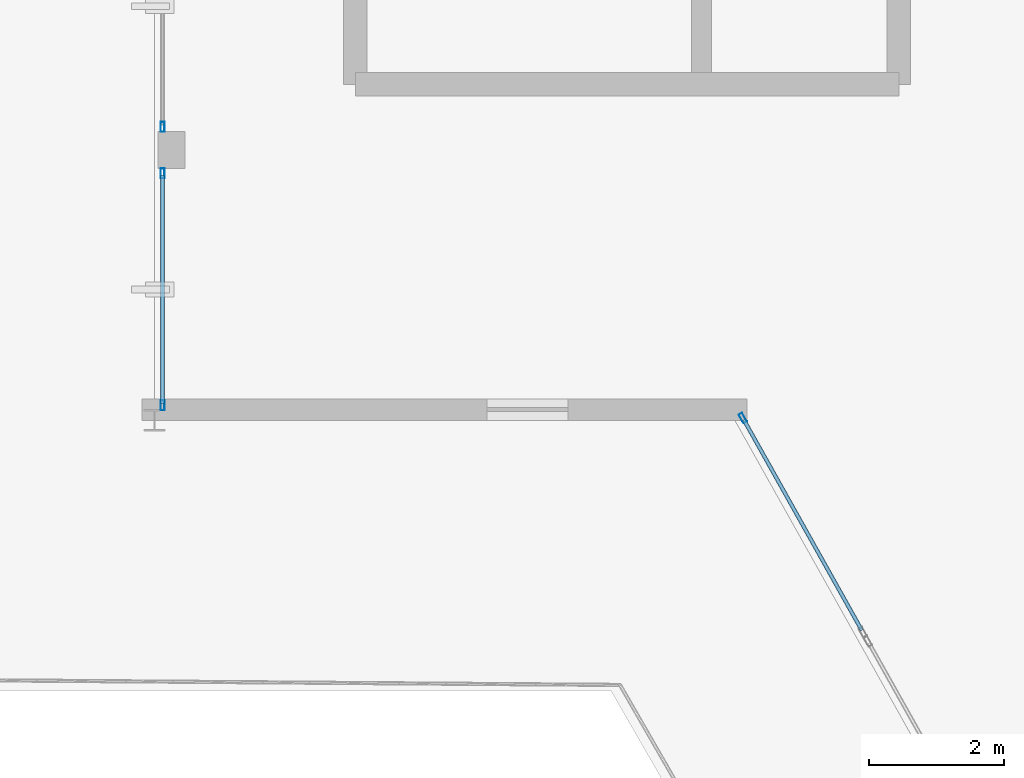
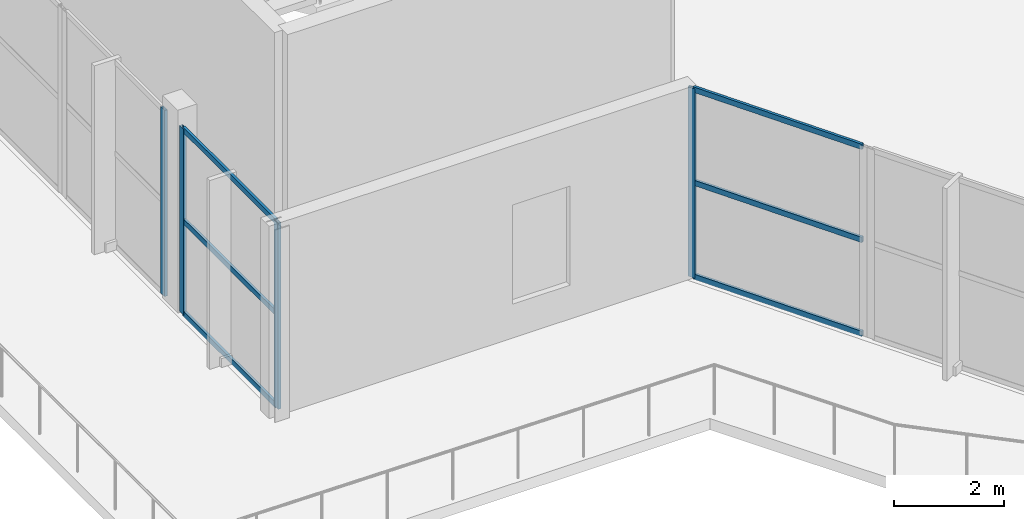
# One storey, part 22 of 123: 10 members, 3 elements without a shape of their own.
"""IFC4 building model written with IfcOpenShell, lengths in metres."""

from ifc_helpers import new_model, si_unit, direction, frame, origin, origin_2d, place, context, subcontext, project, spatial, hollow_rectangle, extrude, material, layer, layer_set, material_profile, profile_set, type_object, element, aggregate, save


model = new_model("IFC4")

# Units and contexts
model_context = context("Model", 3, precision=1e-05, world=origin(), true_north=direction((0.0, 1.0)))
body_context = subcontext(model_context, "Body", "Model", "MODEL_VIEW")
ifc_project = project(units=[si_unit("LENGTHUNIT", "METRE"), si_unit("AREAUNIT", "SQUARE_METRE"), si_unit("VOLUMEUNIT", "CUBIC_METRE"), si_unit("PLANEANGLEUNIT", "RADIAN"), si_unit("MASSUNIT", "GRAM", prefix="KILO")], contexts=[model_context])

# Site, building, storey
site_placement = place(None, origin())
site = spatial("IfcSite", under=ifc_project, at=site_placement, CompositionType="ELEMENT")
building_placement = place(site_placement, origin())
building = spatial("IfcBuilding", under=site, at=building_placement, Name="Kalgoora Escarpment Arena", CompositionType="ELEMENT")
storey_placement = place(building_placement, frame((0.0, 0.0, 9.89990234375)))
storey = spatial("IfcBuildingStorey", under=building, at=storey_placement, Name="L02", CompositionType="ELEMENT", Elevation=9.89990234375)

# Curtain wall, member
ifc_material_1 = material(Name=" Champagne anodised aluminium & double-glazed low-E", Category="aluminium")
ifc_layer_1 = layer(ifc_material_1, 0.157958984375)
ifc_layer_set_1 = layer_set([ifc_layer_1], Name="CW-UNIT-17")
curtain_wall_type_1 = type_object("IfcCurtainWallType", Name="CW-UNIT-17", PredefinedType="NOTDEFINED", material=ifc_layer_set_1)
curtain_wall_1_placement = place(storey_placement, origin())
curtain_wall_1 = element("IfcCurtainWall", 1, at=curtain_wall_1_placement, inside=storey, type_object=curtain_wall_type_1, Name="L02 unitised facade curtain wall 056", PredefinedType="NOTDEFINED")
ifc_material_2 = material(Name="Anodised aluminium 6063-T6", Category="aluminium")
ifc_material_profile_1 = material_profile(ifc_material_2, hollow_rectangle(XDim=0.06005859375, YDim=0.14990234375, WallThickness=0.00341796875, at=origin_2d()))
ifc_profile_set_1 = profile_set([ifc_material_profile_1], Name="Anodised aluminium 6063-T6")
member_type_1 = type_object("IfcMemberType", Name="MEM-CW-MULL-150", PredefinedType="MULLION", material=ifc_profile_set_1)
member_1_placement = place(storey_placement, frame((17.11376953125, 40.032470703125, 0.02001953125), z_axis=(0.0, 0.0, 1.0), x_axis=(-0.872362417509, -0.488859706375, 0.0)))
member_1 = element("IfcMember", 2, at=member_1_placement, type_object=member_type_1, Name="CW-17 mullion 2", PredefinedType="MULLION", context=body_context, shape_type="SweptSolid", body=[
    extrude(hollow_rectangle(XDim=0.06005859375, YDim=0.14990234375, WallThickness=0.00341796875, at=origin_2d()), origin(), (0.0, 0.0, 1.0), 4.205078125),
])

# Curtain wall, members
ifc_material_3 = material(Name=" Champagne anodised aluminium & double-glazed low-E", Category="aluminium")
ifc_layer_2 = layer(ifc_material_3, 0.162109375)
ifc_layer_set_2 = layer_set([ifc_layer_2], Name="CW-UNIT-18")
curtain_wall_type_2 = type_object("IfcCurtainWallType", Name="CW-UNIT-18", PredefinedType="NOTDEFINED", material=ifc_layer_set_2)
curtain_wall_2_placement = place(storey_placement, origin())
curtain_wall_2 = element("IfcCurtainWall", 3, at=curtain_wall_2_placement, inside=storey, type_object=curtain_wall_type_2, Name="L02 unitised facade curtain wall 057", PredefinedType="NOTDEFINED")
member_2_placement = place(storey_placement, frame((8.52001953125, 40.220703125, 0.02001953125), z_axis=(0.0, 0.0, 1.0), x_axis=(-1.0, 0.0, 0.0)))
member_2 = element("IfcMember", 4, at=member_2_placement, type_object=member_type_1, Name="CW-18 mullion 1", PredefinedType="MULLION", context=body_context, shape_type="SweptSolid", body=[
    extrude(hollow_rectangle(XDim=0.06005859375, YDim=0.14990234375, WallThickness=0.00341796875, at=origin_2d()), origin(), (0.0, 0.0, 1.0), 4.130126953125),
])
member_3_placement = place(storey_placement, frame((8.52001953125, 43.65576171875, 0.02001953125), z_axis=(0.0, 0.0, 1.0), x_axis=(-1.0, 0.0, 0.0)))
member_3 = element("IfcMember", 5, at=member_3_placement, type_object=member_type_1, Name="CW-18 mullion 2", PredefinedType="MULLION", context=body_context, shape_type="SweptSolid", body=[
    extrude(hollow_rectangle(XDim=0.06005859375, YDim=0.14990234375, WallThickness=0.00341796875, at=origin_2d()), origin(), (0.0, 0.0, 1.0), 4.130126953125),
])

# Curtain wall, member
ifc_material_4 = material(Name=" Champagne anodised aluminium & double-glazed low-E", Category="aluminium")
ifc_layer_3 = layer(ifc_material_4, 0.166015625)
ifc_layer_set_3 = layer_set([ifc_layer_3], Name="CW-UNIT-19")
curtain_wall_type_3 = type_object("IfcCurtainWallType", Name="CW-UNIT-19", PredefinedType="NOTDEFINED", material=ifc_layer_set_3)
curtain_wall_3_placement = place(storey_placement, origin())
curtain_wall_3 = element("IfcCurtainWall", 6, at=curtain_wall_3_placement, inside=storey, type_object=curtain_wall_type_3, Name="L02 unitised facade curtain wall 058", PredefinedType="NOTDEFINED")
member_4_placement = place(storey_placement, frame((8.52001953125, 44.34423828125, 0.02001953125), z_axis=(0.0, 0.0, 1.0), x_axis=(-1.0, 0.0, 0.0)))
member_4 = element("IfcMember", 7, at=member_4_placement, type_object=member_type_1, Name="CW-19 mullion 1", PredefinedType="MULLION", context=body_context, shape_type="SweptSolid", body=[
    extrude(hollow_rectangle(XDim=0.06005859375, YDim=0.14990234375, WallThickness=0.00341796875, at=origin_2d()), origin(), (0.0, 0.0, 1.0), 4.130126953125),
])
aggregate(curtain_wall_3, [member_4])

# Member
ifc_material_5 = material(Name="Anodised aluminium 6063-T6", Category="aluminium")
ifc_material_profile_2 = material_profile(ifc_material_5, hollow_rectangle(XDim=0.054931640625, YDim=0.1201171875, WallThickness=0.003173828125, at=origin_2d()))
ifc_profile_set_2 = profile_set([ifc_material_profile_2], Name="Anodised aluminium 6063-T6")
member_type_2 = type_object("IfcMemberType", Name="MEM-CW-TRAN-120", PredefinedType="USERDEFINED", material=ifc_profile_set_2)
member_5_placement = place(storey_placement, frame((18.875732421875, 36.888427734375, 0.047607421875), z_axis=(-0.488875825772, 0.872353384229, 0.0), x_axis=(-0.872353384229, -0.488875825772, 0.0)))
member_5 = element("IfcMember", 8, at=member_5_placement, type_object=member_type_2, Name="CW-17 transom 1.1", ObjectType="TRANSOM", PredefinedType="USERDEFINED", context=body_context, shape_type="SweptSolid", body=[
    extrude(hollow_rectangle(XDim=0.054931640625, YDim=0.1201171875, WallThickness=0.003173828125, at=origin_2d()), origin(), (0.0, 0.0, 1.0), 3.57421875),
])

member_6_placement = place(storey_placement, frame((18.875732421875, 36.888427734375, 2.132568359375), z_axis=(-0.488875825772, 0.872353384229, 0.0), x_axis=(-0.872353384229, -0.488875825772, 0.0)))
member_6 = element("IfcMember", 9, at=member_6_placement, type_object=member_type_2, Name="CW-17 transom 1.2", ObjectType="TRANSOM", PredefinedType="USERDEFINED", context=body_context, shape_type="SweptSolid", body=[
    extrude(hollow_rectangle(XDim=0.054931640625, YDim=0.1201171875, WallThickness=0.003173828125, at=origin_2d()), origin(), (0.0, 0.0, 1.0), 3.57421875),
])

member_7_placement = place(storey_placement, frame((18.875732421875, 36.888427734375, 4.197509765625), z_axis=(-0.488875825772, 0.872353384229, 0.0), x_axis=(-0.872353384229, -0.488875825772, 0.0)))
member_7 = element("IfcMember", 10, at=member_7_placement, type_object=member_type_2, Name="CW-17 transom 1.3", ObjectType="TRANSOM", PredefinedType="USERDEFINED", context=body_context, shape_type="SweptSolid", body=[
    extrude(hollow_rectangle(XDim=0.054931640625, YDim=0.1201171875, WallThickness=0.003173828125, at=origin_2d()), origin(), (0.0, 0.0, 1.0), 3.57421875),
])

aggregate(curtain_wall_1, [member_1, member_5, member_6, member_7])

member_8_placement = place(storey_placement, frame((8.52001953125, 40.250732421875, 0.047607421875), z_axis=(0.0, 1.0, 0.0), x_axis=(-1.0, 0.0, 0.0)))
member_8 = element("IfcMember", 11, at=member_8_placement, type_object=member_type_2, Name="CW-18 transom 1.1", ObjectType="TRANSOM", PredefinedType="USERDEFINED", context=body_context, shape_type="SweptSolid", body=[
    extrude(hollow_rectangle(XDim=0.054931640625, YDim=0.1201171875, WallThickness=0.003173828125, at=origin_2d()), origin(), (0.0, 0.0, 1.0), 3.375),
])

member_9_placement = place(storey_placement, frame((8.52001953125, 40.250732421875, 2.09521484375), z_axis=(0.0, 1.0, 0.0), x_axis=(-1.0, 0.0, 0.0)))
member_9 = element("IfcMember", 12, at=member_9_placement, type_object=member_type_2, Name="CW-18 transom 1.2", ObjectType="TRANSOM", PredefinedType="USERDEFINED", context=body_context, shape_type="SweptSolid", body=[
    extrude(hollow_rectangle(XDim=0.054931640625, YDim=0.1201171875, WallThickness=0.003173828125, at=origin_2d()), origin(), (0.0, 0.0, 1.0), 3.375),
])

member_10_placement = place(storey_placement, frame((8.52001953125, 40.250732421875, 4.12255859375), z_axis=(0.0, 1.0, 0.0), x_axis=(-1.0, 0.0, 0.0)))
member_10 = element("IfcMember", 13, at=member_10_placement, type_object=member_type_2, Name="CW-18 transom 1.3", ObjectType="TRANSOM", PredefinedType="USERDEFINED", context=body_context, shape_type="SweptSolid", body=[
    extrude(hollow_rectangle(XDim=0.054931640625, YDim=0.1201171875, WallThickness=0.003173828125, at=origin_2d()), origin(), (0.0, 0.0, 1.0), 3.375),
])

aggregate(curtain_wall_2, [member_2, member_3, member_8, member_9, member_10])

save(model, "model.ifc")
